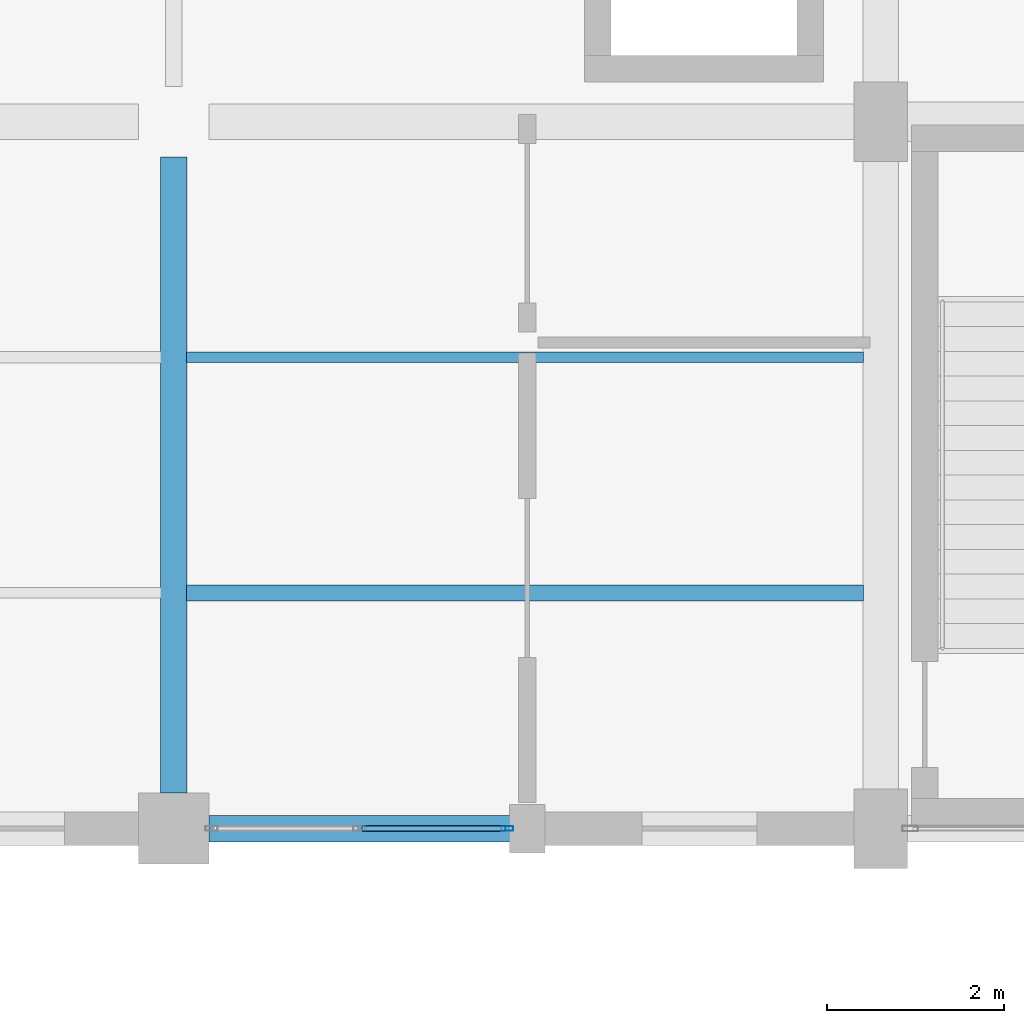
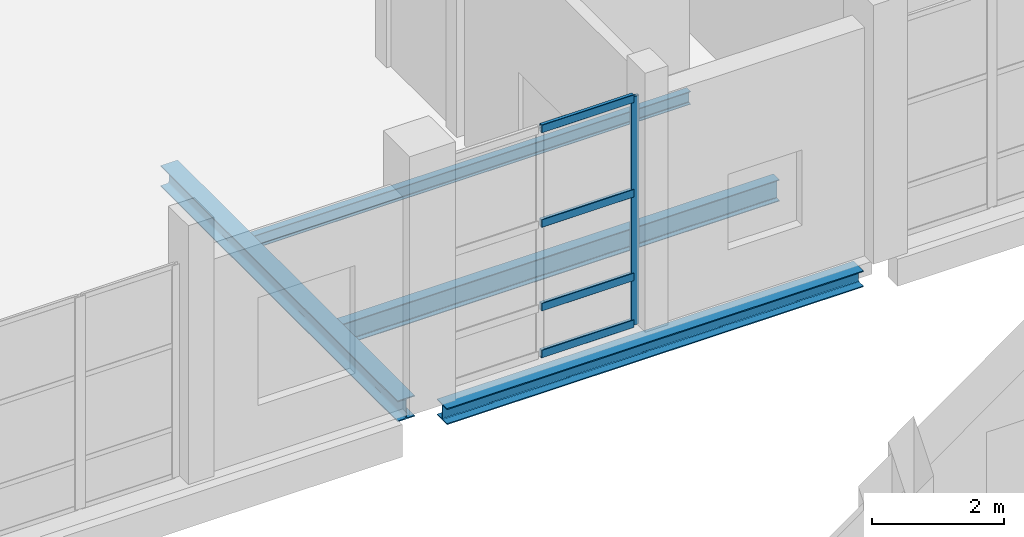
# One storey, part 85 of 156: 5 members, 4 beams, 1 element without a shape of its own.
"""IFC4 building model written with IfcOpenShell, lengths in metres."""

from ifc_helpers import new_model, si_unit, direction, frame, origin, origin_2d, place, context, subcontext, project, spatial, hollow_rectangle, i_section, extrude, material, material_profile, profile_set, type_object, element, aggregate, save


model = new_model("IFC4")

# Units and contexts
model_context = context("Model", 3, precision=1e-05, world=origin(), true_north=direction((0.0, 1.0)))
body_context = subcontext(model_context, "Body", "Model", "MODEL_VIEW")
ifc_project = project(units=[si_unit("LENGTHUNIT", "METRE"), si_unit("AREAUNIT", "SQUARE_METRE"), si_unit("VOLUMEUNIT", "CUBIC_METRE"), si_unit("PLANEANGLEUNIT", "RADIAN"), si_unit("MASSUNIT", "GRAM", prefix="KILO")], contexts=[model_context])

# Site, building, storey
site_placement = place(None, origin())
site = spatial("IfcSite", under=ifc_project, at=site_placement, CompositionType="ELEMENT")
building_placement = place(site_placement, origin())
building = spatial("IfcBuilding", under=site, at=building_placement, Name="Luwemba Playhouse", CompositionType="ELEMENT")
storey_placement = place(building_placement, origin())
storey = spatial("IfcBuildingStorey", under=building, at=storey_placement, Name="L00", CompositionType="ELEMENT", Elevation=0.0)

# Beams
ifc_material_1 = material(Name="Steel S355", Category="steel")
ifc_material_profile_1 = material_profile(ifc_material_1, i_section(OverallWidth=0.300048828125, OverallDepth=0.389892578125, WebThickness=0.010986328125, FlangeThickness=0.01904296875, FilletRadius=0.027099609375, at=origin_2d()))
ifc_profile_set_1 = profile_set([ifc_material_profile_1], Name="Steel S355")
beam_type_1 = type_object("IfcBeamType", Name="BM-SB05", PredefinedType="BEAM", material=ifc_profile_set_1)
beam_1_placement = place(storey_placement, frame((156.0, 68.39990234375, -0.4951171875), z_axis=(0.0, 1.0, 0.0), x_axis=(-1.0, 0.0, 0.0)))
element("IfcBeam", 1, at=beam_1_placement, inside=storey, type_object=beam_type_1, Name="L00 transverse girder 0141", PredefinedType="BEAM", context=body_context, shape_type="SweptSolid", body=[
    extrude(i_section(OverallWidth=0.300048828125, OverallDepth=0.389892578125, WebThickness=0.010986328125, FlangeThickness=0.01904296875, FilletRadius=0.027099609375, at=origin_2d()), origin(), (0.0, 0.0, 1.0), 7.2001953125),
])
ifc_material_profile_2 = material_profile(ifc_material_1, i_section(OverallWidth=0.1201171875, OverallDepth=0.239990234375, WebThickness=0.006103515625, FlangeThickness=0.009765625, FilletRadius=0.014892578125, at=origin_2d()))
ifc_profile_set_2 = profile_set([ifc_material_profile_2], Name="Steel S355")
beam_type_2 = type_object("IfcBeamType", Name="BM-SJ03", PredefinedType="JOIST", material=ifc_profile_set_2)
beam_2_placement = place(storey_placement, frame((156.14599609375, 73.333251953125, -0.419921875), z_axis=(1.0, 0.0, 0.0), x_axis=(0.0, 1.0, 0.0)))
element("IfcBeam", 2, at=beam_2_placement, inside=storey, type_object=beam_type_2, Name="L00 composite floor joist 0113", PredefinedType="JOIST", context=body_context, shape_type="SweptSolid", body=[
    extrude(i_section(OverallWidth=0.1201171875, OverallDepth=0.239990234375, WebThickness=0.006103515625, FlangeThickness=0.009765625, FilletRadius=0.014892578125, at=origin_2d()), origin(), (0.0, 0.0, 1.0), 7.657958984375),
])
ifc_material_profile_3 = material_profile(ifc_material_1, i_section(OverallWidth=0.179931640625, OverallDepth=0.39990234375, WebThickness=0.008544921875, FlangeThickness=0.013427734375, FilletRadius=0.02099609375, at=origin_2d()))
ifc_profile_set_3 = profile_set([ifc_material_profile_3], Name="Steel S355")
beam_type_3 = type_object("IfcBeamType", Name="BM-SJ08", PredefinedType="JOIST", material=ifc_profile_set_3)
beam_3_placement = place(storey_placement, frame((156.14599609375, 70.666748046875, -0.5), z_axis=(1.0, 0.0, 0.0), x_axis=(0.0, 1.0, 0.0)))
element("IfcBeam", 3, at=beam_3_placement, inside=storey, type_object=beam_type_3, Name="L00 composite floor joist 0112", PredefinedType="JOIST", context=body_context, shape_type="SweptSolid", body=[
    extrude(i_section(OverallWidth=0.179931640625, OverallDepth=0.39990234375, WebThickness=0.008544921875, FlangeThickness=0.013427734375, FilletRadius=0.02099609375, at=origin_2d()), origin(), (0.0, 0.0, 1.0), 7.657958984375),
])
ifc_material_profile_4 = material_profile(ifc_material_1, i_section(OverallWidth=0.300048828125, OverallDepth=0.300048828125, WebThickness=0.010986328125, FlangeThickness=0.01904296875, FilletRadius=0.027099609375, at=origin_2d()))
ifc_profile_set_4 = profile_set([ifc_material_profile_4], Name="Steel S355")
beam_type_4 = type_object("IfcBeamType", Name="BM-SSP1", PredefinedType="SPANDREL", material=ifc_profile_set_4)
beam_4_placement = place(storey_placement, frame((156.39990234375, 68.0, -0.449951171875), z_axis=(1.0, 0.0, 0.0), x_axis=(0.0, 1.0, 0.0)))
element("IfcBeam", 4, at=beam_4_placement, inside=storey, type_object=beam_type_4, Name="L00 grid girder 0115", PredefinedType="SPANDREL", context=body_context, shape_type="SweptSolid", body=[
    extrude(i_section(OverallWidth=0.300048828125, OverallDepth=0.300048828125, WebThickness=0.010986328125, FlangeThickness=0.01904296875, FilletRadius=0.027099609375, at=origin_2d()), origin(), (0.0, 0.0, 1.0), 7.300048828125),
])

# Curtain wall, members
ifc_material_2 = material(Name="Solar-control double glazing", Category="glass")
curtain_wall_type = type_object("IfcCurtainWallType", Name="CW-CW20", PredefinedType="USERDEFINED", material=ifc_material_2)
curtain_wall_placement = place(storey_placement, origin())
curtain_wall = element("IfcCurtainWall", 5, at=curtain_wall_placement, inside=storey, type_object=curtain_wall_type, Name="L00 V4 unitised curtain wall 021", ObjectType="UNITISED GLAZING", PredefinedType="USERDEFINED")
ifc_material_3 = material(Name="Aluminium 6063-T6", Category="aluminium")
ifc_material_profile_5 = material_profile(ifc_material_3, hollow_rectangle(XDim=0.054931640625, YDim=0.139892578125, WallThickness=0.00390625, InnerFilletRadius=0.006103515625, OuterFilletRadius=0.010009765625, at=origin_2d()))
ifc_profile_set_5 = profile_set([ifc_material_profile_5], Name="Aluminium 6063-T6")
member_type_1 = type_object("IfcMemberType", Name="CWM-M3", PredefinedType="MULLION", material=ifc_profile_set_5)
member_1_placement = place(storey_placement, frame((159.7724609375, 68.0, 0.0), z_axis=(0.0, 0.0, 1.0), x_axis=(0.0, -1.0, 0.0)))
member_1 = element("IfcMember", 6, at=member_1_placement, type_object=member_type_1, Name="CW20 mullion 1", PredefinedType="MULLION", context=body_context, shape_type="SweptSolid", body=[
    extrude(hollow_rectangle(XDim=0.054931640625, YDim=0.139892578125, WallThickness=0.00390625, InnerFilletRadius=0.006103515625, OuterFilletRadius=0.010009765625, at=origin_2d()), origin(), (0.0, 0.0, 1.0), 4.235107421875),
])
ifc_material_profile_6 = material_profile(ifc_material_3, hollow_rectangle(XDim=0.06494140625, YDim=0.14990234375, WallThickness=0.00390625, InnerFilletRadius=0.006103515625, OuterFilletRadius=0.010009765625, at=origin_2d()))
ifc_profile_set_6 = profile_set([ifc_material_profile_6], Name="Aluminium 6063-T6")
member_type_2 = type_object("IfcMemberType", Name="CWT-T3", PredefinedType="USERDEFINED", material=ifc_profile_set_6)
member_2_placement = place(storey_placement, frame((159.7451171875, 68.0, 0.032470703125), z_axis=(-1.0, 0.0, 0.0), x_axis=(0.0, -1.0, 0.0)))
member_2 = element("IfcMember", 7, at=member_2_placement, type_object=member_type_2, Name="CW20 transom 1.1", ObjectType="TRANSOM", PredefinedType="USERDEFINED", context=body_context, shape_type="SweptSolid", body=[
    extrude(hollow_rectangle(XDim=0.06494140625, YDim=0.14990234375, WallThickness=0.00390625, InnerFilletRadius=0.006103515625, OuterFilletRadius=0.010009765625, at=origin_2d()), origin(), (0.0, 0.0, 1.0), 1.61767578125),
])
member_3_placement = place(storey_placement, frame((159.7451171875, 68.0, 0.89990234375), z_axis=(-1.0, 0.0, 0.0), x_axis=(0.0, -1.0, 0.0)))
member_3 = element("IfcMember", 8, at=member_3_placement, type_object=member_type_2, Name="CW20 transom 1.2", ObjectType="TRANSOM", PredefinedType="USERDEFINED", context=body_context, shape_type="SweptSolid", body=[
    extrude(hollow_rectangle(XDim=0.06494140625, YDim=0.14990234375, WallThickness=0.00390625, InnerFilletRadius=0.006103515625, OuterFilletRadius=0.010009765625, at=origin_2d()), origin(), (0.0, 0.0, 1.0), 1.61767578125),
])
member_4_placement = place(storey_placement, frame((159.7451171875, 68.0, 2.449951171875), z_axis=(-1.0, 0.0, 0.0), x_axis=(0.0, -1.0, 0.0)))
member_4 = element("IfcMember", 9, at=member_4_placement, type_object=member_type_2, Name="CW20 transom 1.3", ObjectType="TRANSOM", PredefinedType="USERDEFINED", context=body_context, shape_type="SweptSolid", body=[
    extrude(hollow_rectangle(XDim=0.06494140625, YDim=0.14990234375, WallThickness=0.00390625, InnerFilletRadius=0.006103515625, OuterFilletRadius=0.010009765625, at=origin_2d()), origin(), (0.0, 0.0, 1.0), 1.61767578125),
])
member_5_placement = place(storey_placement, frame((159.7451171875, 68.0, 4.202392578125), z_axis=(-1.0, 0.0, 0.0), x_axis=(0.0, -1.0, 0.0)))
member_5 = element("IfcMember", 10, at=member_5_placement, type_object=member_type_2, Name="CW20 transom 1.4", ObjectType="TRANSOM", PredefinedType="USERDEFINED", context=body_context, shape_type="SweptSolid", body=[
    extrude(hollow_rectangle(XDim=0.06494140625, YDim=0.14990234375, WallThickness=0.00390625, InnerFilletRadius=0.006103515625, OuterFilletRadius=0.010009765625, at=origin_2d()), origin(), (0.0, 0.0, 1.0), 1.61767578125),
])
aggregate(curtain_wall, [member_1, member_2, member_3, member_4, member_5])

save(model, "model.ifc")
